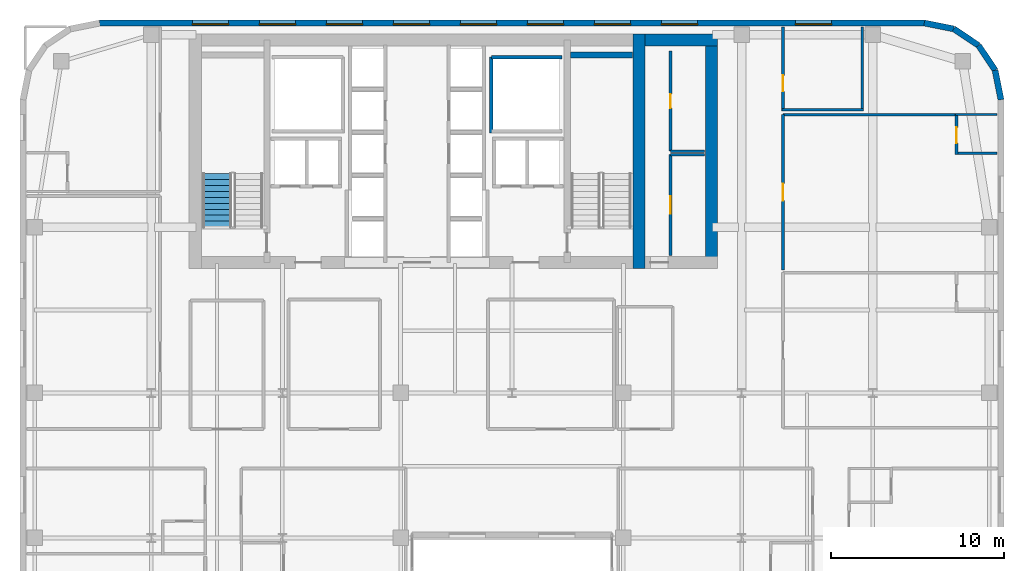
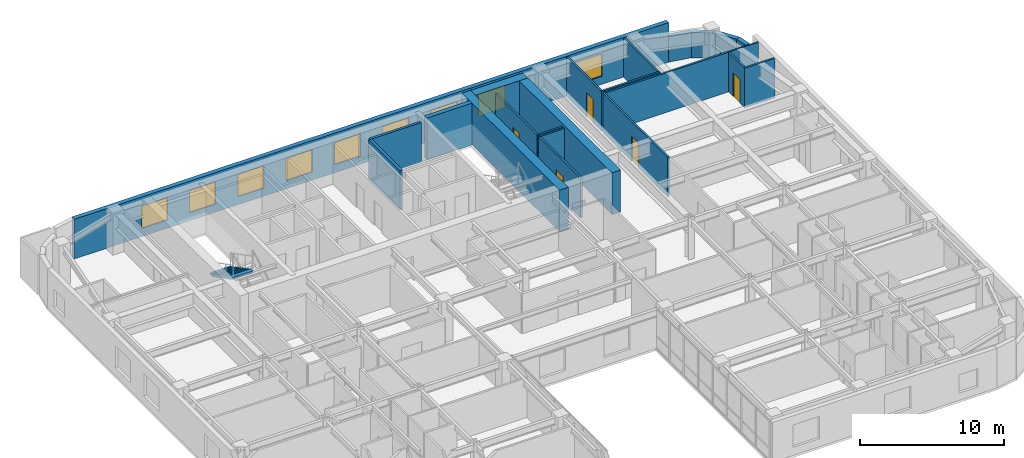
# One storey, part 15 of 17: 23 walls, 9 windows, 5 doors, 1 stair flight, 14 openings, 1 element without a shape of its own.
"""IFC4 building model written with IfcOpenShell, lengths in metres."""

from ifc_helpers import new_model, si_unit, direction, frame, frame_2d, origin, place, context, subcontext, project, spatial, polyline, rectangle, outline, extrude, source, transform, mapped, material, layer, layer_set, type_object, type_shapes, element, fill, aggregate, save


model = new_model("IFC4")

# Units and contexts
model_context = context("Model", 3, precision=1e-05, world=origin(), true_north=direction((0.0, 1.0)))
body_context = subcontext(model_context, "Body", "Model", "MODEL_VIEW")
ifc_project = project(units=[si_unit("LENGTHUNIT", "METRE"), si_unit("AREAUNIT", "SQUARE_METRE"), si_unit("VOLUMEUNIT", "CUBIC_METRE"), si_unit("PLANEANGLEUNIT", "RADIAN"), si_unit("MASSUNIT", "GRAM", prefix="KILO")], contexts=[model_context])

# Site, building, storey
site_placement = place(None, origin())
site = spatial("IfcSite", under=ifc_project, at=site_placement, CompositionType="ELEMENT")
building_placement = place(site_placement, origin())
building = spatial("IfcBuilding", under=site, at=building_placement, Name="Tolvann Quenvar Hotel", CompositionType="ELEMENT")
storey_placement = place(building_placement, frame((0.0, 0.0, 129.300048828125)))
storey = spatial("IfcBuildingStorey", under=building, at=storey_placement, Name="L33", CompositionType="ELEMENT", Elevation=129.300048828125)

# Walls
ifc_material_1 = material(Name="Concrete S65 (65 MPa)", Category="concrete")
ifc_layer_1 = layer(ifc_material_1, 0.699951171875)
ifc_layer_set_1 = layer_set([ifc_layer_1], Name="Concrete S65 (65 MPa)")
wall_type_1 = type_object("IfcWallType", Name="WALL_CORE_700", PredefinedType="SHEAR", material=ifc_layer_set_1)
wall_1_placement = place(storey_placement, frame((35.85009765625, 31.60009765625, 0.0), z_axis=(0.0, 0.0, 1.0), x_axis=(0.0, 1.0, 0.0)))
element("IfcWall", 1, at=wall_1_placement, inside=storey, type_object=wall_type_1, Name="Rear Core E Shear Wall (L33)", PredefinedType="SHEAR", context=body_context, shape_type="SweptSolid", body=[
    extrude(rectangle(XDim=13.599853515625, YDim=0.699951171875, at=frame_2d((6.7998046875, 0.0))), origin(), (0.0, 0.0, 1.0), 3.550048828125),
])
wall_2_placement = place(storey_placement, frame((36.199951171875, 44.85009765625, 0.0), z_axis=(0.0, 0.0, 1.0), x_axis=(1.0, 0.0, 0.0)))
element("IfcWall", 2, at=wall_2_placement, inside=storey, type_object=wall_type_1, Name="Core East Annex Shear Wall ANN-N (L33)", PredefinedType="SHEAR", context=body_context, shape_type="SweptSolid", body=[
    extrude(rectangle(XDim=4.199951171875, YDim=0.699951171875, at=frame_2d((2.10009765625, 0.0))), origin(), (0.0, 0.0, 1.0), 3.550048828125),
])
wall_3_placement = place(storey_placement, frame((40.050048828125, 31.60009765625, 0.0), z_axis=(0.0, 0.0, 1.0), x_axis=(0.0, 1.0, 0.0)))
element("IfcWall", 3, at=wall_3_placement, inside=storey, type_object=wall_type_1, Name="Core East Annex Shear Wall ANN-E (L33)", PredefinedType="SHEAR", context=body_context, shape_type="SweptSolid", body=[
    extrude(rectangle(XDim=13.599853515625, YDim=0.699951171875, at=frame_2d((6.7998046875, 0.0))), origin(), (0.0, 0.0, 1.0), 3.550048828125),
])
ifc_layer_2 = layer(ifc_material_1, 0.35009765625)
ifc_layer_set_2 = layer_set([ifc_layer_2], Name="Concrete S65 (65 MPa)")
wall_type_2 = type_object("IfcWallType", Name="WALL_CORE_INT_350", PredefinedType="SHEAR", material=ifc_layer_set_2)
wall_4_placement = place(storey_placement, frame((31.8798828125, 43.97509765625, 0.0), z_axis=(0.0, 0.0, 1.0), x_axis=(1.0, 0.0, 0.0)))
element("IfcWall", 4, at=wall_4_placement, inside=storey, type_object=wall_type_2, Name="Core Stair North Closing Shear Wall STC2-N (L33)", PredefinedType="SHEAR", context=body_context, shape_type="SweptSolid", body=[
    extrude(rectangle(XDim=3.60009765625, YDim=0.35009765625, at=frame_2d((1.800048828125, 0.0))), origin(), (0.0, 0.0, 1.0), 3.550048828125),
])
ifc_material_2 = material(Name="Kiln-fired red and buff architectural clay brickwork and terracotta masonry", Category="masonry")
ifc_layer_3 = layer(ifc_material_2, 0.35009765625)
ifc_layer_set_3 = layer_set([ifc_layer_3], Name="Kiln-fired red and buff architectural clay brickwork and terracotta masonry")
wall_type_3 = type_object("IfcWallType", Name="WALL_EXT_BRICK_350", PredefinedType="SOLIDWALL", material=ifc_layer_set_3)
wall_5_placement = place(storey_placement, frame((56.824951171875, 41.3828125, 0.0), z_axis=(0.0, 0.0, 1.0), x_axis=(-0.195011420161, 0.980800971659, 0.0)))
element("IfcWall", 5, at=wall_5_placement, inside=storey, type_object=wall_type_3, Name="Exterior Chicago Brick Wall L33-E14", PredefinedType="SOLIDWALL", context=body_context, shape_type="SweptSolid", body=[
    extrude(rectangle(XDim=1.74267578125, YDim=0.35009765625, at=frame_2d((0.871337890625, 0.0))), origin(), (0.0, 0.0, 1.0), 2.159912109375),
])
for number, where, z_axis, x_axis, name in (
    (6, (56.485107421875, 43.092041015625, 0.0), (0.0, 0.0, 1.0), (-0.55554893791, 0.831483840845, 0.0), "Exterior Chicago Brick Wall L33-E15"),
    (7, (55.526611328125, 44.526611328125, 0.0), (0.0, 0.0, 1.0), (-0.831483840845, 0.55554893791, 0.0), "Exterior Chicago Brick Wall L33-E16"),
):
    element("IfcWall", number, at=place(storey_placement, frame(where, z_axis=z_axis, x_axis=x_axis)), inside=storey, type_object=wall_type_3, Name=name, PredefinedType="SOLIDWALL", context=body_context, shape_type="SweptSolid", body=[
        extrude(rectangle(XDim=1.725341796875, YDim=0.35009765625, at=frame_2d((0.86279296875, 0.0))), origin(), (0.0, 0.0, 1.0), 2.159912109375),
    ])
wall_6_placement = place(storey_placement, frame((54.092041015625, 45.485107421875, 0.0), z_axis=(0.0, 0.0, 1.0), x_axis=(-0.980800971659, 0.195011420161, 0.0)))
element("IfcWall", 8, at=wall_6_placement, inside=storey, type_object=wall_type_3, Name="Exterior Chicago Brick Wall L33-E17", PredefinedType="SOLIDWALL", context=body_context, shape_type="SweptSolid", body=[
    extrude(rectangle(XDim=1.74267578125, YDim=0.35009765625, at=frame_2d((0.871337890625, 0.0))), origin(), (0.0, 0.0, 1.0), 2.159912109375),
])

# Wall, openings, windows
wall_7_placement = place(storey_placement, frame((52.3828125, 45.824951171875, 0.0), z_axis=(0.0, 0.0, 1.0), x_axis=(-1.0, 0.0, 0.0)))
wall_7 = element("IfcWall", 9, at=wall_7_placement, inside=storey, type_object=wall_type_3, Name="Exterior Chicago Brick Wall L33-E18", PredefinedType="SOLIDWALL", context=body_context, shape_type="SweptSolid", body=[
    extrude(rectangle(XDim=47.765625, YDim=0.35009765625, at=frame_2d((23.8828125, 0.0))), origin(), (0.0, 0.0, 1.0), 3.369873046875),
])
opening_1_placement = place(wall_7_placement, frame((5.37109375, 0.0, 0.679931640625)))
opening_1 = element("IfcOpeningElement", 10, at=opening_1_placement, cuts=wall_7, Name="Opening W-02", PredefinedType="OPENING", context=body_context, shape_type="SweptSolid", body=[
    extrude(rectangle(XDim=2.10009765625, YDim=1.89990234375, at=frame_2d((1.050048828125, 0.949951171875))), frame((0.0, 0.18505859375, 0.0), z_axis=(0.0, -1.0, 0.0), x_axis=(1.0, 0.0, 0.0)), (0.0, 0.0, 1.0), 0.3701171875),
])
opening_2_placement = place(wall_7_placement, frame((13.132080078125, 0.0, 0.679931640625)))
opening_2 = element("IfcOpeningElement", 11, at=opening_2_placement, cuts=wall_7, Name="Opening W-02", PredefinedType="OPENING", context=body_context, shape_type="SweptSolid", body=[
    extrude(rectangle(XDim=2.10009765625, YDim=1.89990234375, at=frame_2d((1.050048828125, 0.949951171875))), frame((0.0, 0.18505859375, 0.0), z_axis=(0.0, -1.0, 0.0), x_axis=(1.0, 0.0, 0.0)), (0.0, 0.0, 1.0), 0.3701171875),
])
opening_3_placement = place(wall_7_placement, frame((17.011962890625, 0.0, 0.679931640625)))
opening_3 = element("IfcOpeningElement", 12, at=opening_3_placement, cuts=wall_7, Name="Opening W-02", PredefinedType="OPENING", context=body_context, shape_type="SweptSolid", body=[
    extrude(rectangle(XDim=2.10009765625, YDim=1.89990234375, at=frame_2d((1.050048828125, 0.949951171875))), frame((0.0, 0.18505859375, 0.0), z_axis=(0.0, -1.0, 0.0), x_axis=(1.0, 0.0, 0.0)), (0.0, 0.0, 1.0), 0.3701171875),
])
opening_4_placement = place(wall_7_placement, frame((20.89306640625, 0.0, 0.679931640625)))
opening_4 = element("IfcOpeningElement", 13, at=opening_4_placement, cuts=wall_7, Name="Opening W-02", PredefinedType="OPENING", context=body_context, shape_type="SweptSolid", body=[
    extrude(rectangle(XDim=2.10009765625, YDim=1.89990234375, at=frame_2d((1.050048828125, 0.949951171875))), frame((0.0, 0.18505859375, 0.0), z_axis=(0.0, -1.0, 0.0), x_axis=(1.0, 0.0, 0.0)), (0.0, 0.0, 1.0), 0.3701171875),
])
opening_5_placement = place(wall_7_placement, frame((24.77294921875, 0.0, 0.679931640625)))
opening_5 = element("IfcOpeningElement", 14, at=opening_5_placement, cuts=wall_7, Name="Opening W-02", PredefinedType="OPENING", context=body_context, shape_type="SweptSolid", body=[
    extrude(rectangle(XDim=2.10009765625, YDim=1.89990234375, at=frame_2d((1.050048828125, 0.949951171875))), frame((0.0, 0.18505859375, 0.0), z_axis=(0.0, -1.0, 0.0), x_axis=(1.0, 0.0, 0.0)), (0.0, 0.0, 1.0), 0.3701171875),
])
opening_6_placement = place(wall_7_placement, frame((28.654052734375, 0.0, 0.679931640625)))
opening_6 = element("IfcOpeningElement", 15, at=opening_6_placement, cuts=wall_7, Name="Opening W-02", PredefinedType="OPENING", context=body_context, shape_type="SweptSolid", body=[
    extrude(rectangle(XDim=2.10009765625, YDim=1.89990234375, at=frame_2d((1.050048828125, 0.949951171875))), frame((0.0, 0.18505859375, 0.0), z_axis=(0.0, -1.0, 0.0), x_axis=(1.0, 0.0, 0.0)), (0.0, 0.0, 1.0), 0.3701171875),
])
opening_7_placement = place(wall_7_placement, frame((32.533935546875, 0.0, 0.679931640625)))
opening_7 = element("IfcOpeningElement", 16, at=opening_7_placement, cuts=wall_7, Name="Opening W-02", PredefinedType="OPENING", context=body_context, shape_type="SweptSolid", body=[
    extrude(rectangle(XDim=2.10009765625, YDim=1.89990234375, at=frame_2d((1.050048828125, 0.949951171875))), frame((0.0, 0.18505859375, 0.0), z_axis=(0.0, -1.0, 0.0), x_axis=(1.0, 0.0, 0.0)), (0.0, 0.0, 1.0), 0.3701171875),
])
opening_8_placement = place(wall_7_placement, frame((36.4140625, 0.0, 0.679931640625)))
opening_8 = element("IfcOpeningElement", 17, at=opening_8_placement, cuts=wall_7, Name="Opening W-02", PredefinedType="OPENING", context=body_context, shape_type="SweptSolid", body=[
    extrude(rectangle(XDim=2.10009765625, YDim=1.89990234375, at=frame_2d((1.050048828125, 0.949951171875))), frame((0.0, 0.18505859375, 0.0), z_axis=(0.0, -1.0, 0.0), x_axis=(1.0, 0.0, 0.0)), (0.0, 0.0, 1.0), 0.3701171875),
])
opening_9_placement = place(wall_7_placement, frame((40.294921875, 0.0, 0.679931640625)))
opening_9 = element("IfcOpeningElement", 18, at=opening_9_placement, cuts=wall_7, Name="Opening W-02", PredefinedType="OPENING", context=body_context, shape_type="SweptSolid", body=[
    extrude(rectangle(XDim=2.10009765625, YDim=1.89990234375, at=frame_2d((1.050048828125, 0.949951171875))), frame((0.0, 0.18505859375, 0.0), z_axis=(0.0, -1.0, 0.0), x_axis=(1.0, 0.0, 0.0)), (0.0, 0.0, 1.0), 0.3701171875),
])
ifc_material_3 = material(Name="Thermally broken bronze-anodised aluminium frame with double low-E glazing", Category="aluminium")
window_type = type_object("IfcWindowType", Name="WIN_CHI_2100x2050", PartitioningType="TRIPLE_PANEL_HORIZONTAL", PredefinedType="WINDOW", material=ifc_material_3)
shared_shape_1 = source(origin(), body_context, "Body", "SweptSolid", [
    extrude(rectangle(XDim=2.10009765625, YDim=1.89990234375, at=frame_2d((1.050048828125, 0.949951171875))), frame((0.0, 0.090087890625, 0.0), z_axis=(0.0, -1.0, 0.0), x_axis=(1.0, 0.0, 0.0)), (0.0, 0.0, 1.0), 0.06005859375),
])
type_shapes(window_type, [shared_shape_1])
window_1_placement = place(opening_1_placement, origin())
window_1 = element("IfcWindow", 19, at=window_1_placement, inside=storey, type_object=window_type, Name="Chicago Window W-02 (EW-L33-E18-W01)", OverallHeight=1.89990234375, OverallWidth=2.10009765625, PartitioningType="TRIPLE_PANEL_HORIZONTAL", PredefinedType="WINDOW", context=body_context, shape_type="MappedRepresentation", body=[
    mapped(shared_shape_1, transform((0.0, 0.0, 0.0), x_axis=(1.0, 0.0, 0.0), y_axis=(0.0, 1.0, 0.0), z_axis=(0.0, 0.0, 1.0), scale=1.0)),
])
fill(opening_1, window_1)
window_2_placement = place(opening_2_placement, origin())
window_2 = element("IfcWindow", 20, at=window_2_placement, inside=storey, type_object=window_type, Name="Chicago Window W-02 (EW-L33-E18-W02)", OverallHeight=1.89990234375, OverallWidth=2.10009765625, PartitioningType="TRIPLE_PANEL_HORIZONTAL", PredefinedType="WINDOW", context=body_context, shape_type="MappedRepresentation", body=[
    mapped(shared_shape_1, transform((0.0, 0.0, 0.0), x_axis=(1.0, 0.0, 0.0), y_axis=(0.0, 1.0, 0.0), z_axis=(0.0, 0.0, 1.0), scale=1.0)),
])
fill(opening_2, window_2)
window_3_placement = place(opening_3_placement, origin())
window_3 = element("IfcWindow", 21, at=window_3_placement, inside=storey, type_object=window_type, Name="Chicago Window W-02 (EW-L33-E18-W03)", OverallHeight=1.89990234375, OverallWidth=2.10009765625, PartitioningType="TRIPLE_PANEL_HORIZONTAL", PredefinedType="WINDOW", context=body_context, shape_type="MappedRepresentation", body=[
    mapped(shared_shape_1, transform((0.0, 0.0, 0.0), x_axis=(1.0, 0.0, 0.0), y_axis=(0.0, 1.0, 0.0), z_axis=(0.0, 0.0, 1.0), scale=1.0)),
])
fill(opening_3, window_3)
window_4_placement = place(opening_4_placement, origin())
window_4 = element("IfcWindow", 22, at=window_4_placement, inside=storey, type_object=window_type, Name="Chicago Window W-02 (EW-L33-E18-W04)", OverallHeight=1.89990234375, OverallWidth=2.10009765625, PartitioningType="TRIPLE_PANEL_HORIZONTAL", PredefinedType="WINDOW", context=body_context, shape_type="MappedRepresentation", body=[
    mapped(shared_shape_1, transform((0.0, 0.0, 0.0), x_axis=(1.0, 0.0, 0.0), y_axis=(0.0, 1.0, 0.0), z_axis=(0.0, 0.0, 1.0), scale=1.0)),
])
fill(opening_4, window_4)
window_5_placement = place(opening_5_placement, origin())
window_5 = element("IfcWindow", 23, at=window_5_placement, inside=storey, type_object=window_type, Name="Chicago Window W-02 (EW-L33-E18-W05)", OverallHeight=1.89990234375, OverallWidth=2.10009765625, PartitioningType="TRIPLE_PANEL_HORIZONTAL", PredefinedType="WINDOW", context=body_context, shape_type="MappedRepresentation", body=[
    mapped(shared_shape_1, transform((0.0, 0.0, 0.0), x_axis=(1.0, 0.0, 0.0), y_axis=(0.0, 1.0, 0.0), z_axis=(0.0, 0.0, 1.0), scale=1.0)),
])
fill(opening_5, window_5)
window_6_placement = place(opening_6_placement, origin())
window_6 = element("IfcWindow", 24, at=window_6_placement, inside=storey, type_object=window_type, Name="Chicago Window W-02 (EW-L33-E18-W06)", OverallHeight=1.89990234375, OverallWidth=2.10009765625, PartitioningType="TRIPLE_PANEL_HORIZONTAL", PredefinedType="WINDOW", context=body_context, shape_type="MappedRepresentation", body=[
    mapped(shared_shape_1, transform((0.0, 0.0, 0.0), x_axis=(1.0, 0.0, 0.0), y_axis=(0.0, 1.0, 0.0), z_axis=(0.0, 0.0, 1.0), scale=1.0)),
])
fill(opening_6, window_6)
window_7_placement = place(opening_7_placement, origin())
window_7 = element("IfcWindow", 25, at=window_7_placement, inside=storey, type_object=window_type, Name="Chicago Window W-02 (EW-L33-E18-W07)", OverallHeight=1.89990234375, OverallWidth=2.10009765625, PartitioningType="TRIPLE_PANEL_HORIZONTAL", PredefinedType="WINDOW", context=body_context, shape_type="MappedRepresentation", body=[
    mapped(shared_shape_1, transform((0.0, 0.0, 0.0), x_axis=(1.0, 0.0, 0.0), y_axis=(0.0, 1.0, 0.0), z_axis=(0.0, 0.0, 1.0), scale=1.0)),
])
fill(opening_7, window_7)
window_8_placement = place(opening_8_placement, origin())
window_8 = element("IfcWindow", 26, at=window_8_placement, inside=storey, type_object=window_type, Name="Chicago Window W-02 (EW-L33-E18-W08)", OverallHeight=1.89990234375, OverallWidth=2.10009765625, PartitioningType="TRIPLE_PANEL_HORIZONTAL", PredefinedType="WINDOW", context=body_context, shape_type="MappedRepresentation", body=[
    mapped(shared_shape_1, transform((0.0, 0.0, 0.0), x_axis=(1.0, 0.0, 0.0), y_axis=(0.0, 1.0, 0.0), z_axis=(0.0, 0.0, 1.0), scale=1.0)),
])
fill(opening_8, window_8)
window_9_placement = place(opening_9_placement, origin())
window_9 = element("IfcWindow", 27, at=window_9_placement, inside=storey, type_object=window_type, Name="Chicago Window W-02 (EW-L33-E18-W09)", OverallHeight=1.89990234375, OverallWidth=2.10009765625, PartitioningType="TRIPLE_PANEL_HORIZONTAL", PredefinedType="WINDOW", context=body_context, shape_type="MappedRepresentation", body=[
    mapped(shared_shape_1, transform((0.0, 0.0, 0.0), x_axis=(1.0, 0.0, 0.0), y_axis=(0.0, 1.0, 0.0), z_axis=(0.0, 0.0, 1.0), scale=1.0)),
])
fill(opening_9, window_9)

# Wall
ifc_material_4 = material(Name="Moisture-resistant acoustic plumbing wall assembly")
ifc_layer_4 = layer(ifc_material_4, 0.1201171875)
ifc_layer_set_4 = layer_set([ifc_layer_4], Name="Moisture-resistant acoustic plumbing wall assembly")
wall_type_4 = type_object("IfcWallType", Name="WALL_PART_BATH_120", PredefinedType="PLUMBINGWALL", material=ifc_layer_set_4)
wall_8_placement = place(storey_placement, frame((54.179931640625, 40.52001953125, 0.0), z_axis=(0.0, 0.0, 1.0), x_axis=(1.0, 0.0, 0.0)))
element("IfcWall", 28, at=wall_8_placement, inside=storey, type_object=wall_type_4, Name="Non-Rated Plumbing Partition PT-SPC-L33-ENS-NE02-N", PredefinedType="PLUMBINGWALL", context=body_context, shape_type="SweptSolid", body=[
    extrude(rectangle(XDim=2.4150390625, YDim=0.1201171875, at=frame_2d((1.20751953125, 0.0))), origin(), (0.0, 0.0, 1.0), 3.369873046875),
])

# Wall, opening, door
ifc_material_5 = material(Name="Acoustic twin-stud fire-rated gypsum plasterboard partition")
ifc_layer_5 = layer(ifc_material_5, 0.14990234375)
ifc_layer_set_5 = layer_set([ifc_layer_5], Name="Acoustic twin-stud fire-rated gypsum plasterboard partition")
wall_type_5 = type_object("IfcWallType", Name="WALL_PART_SUITE_150", PredefinedType="PARTITIONING", material=ifc_layer_set_5)
wall_9_placement = place(storey_placement, frame((54.25, 38.199951171875, 0.0), z_axis=(0.0, 0.0, 1.0), x_axis=(0.0, 1.0, 0.0)))
wall_9 = element("IfcWall", 29, at=wall_9_placement, inside=storey, type_object=wall_type_5, Name="Interior Partition PT-SPC-L33-ENS-NE02-ENT", PredefinedType="PARTITIONING", context=body_context, shape_type="SweptSolid", body=[
    extrude(rectangle(XDim=2.39013671875, YDim=0.14990234375, at=frame_2d((1.195068359375, 0.0))), origin(), (0.0, 0.0, 1.0), 3.369873046875),
])
opening_10_placement = place(wall_9_placement, frame((0.6650390625, 0.0, 0.0)))
opening_10 = element("IfcOpeningElement", 30, at=opening_10_placement, cuts=wall_9, Name="Opening WD-01", PredefinedType="OPENING", context=body_context, shape_type="SweptSolid", body=[
    extrude(rectangle(XDim=0.919921875, YDim=2.010009765625, at=frame_2d((0.4599609375, 1.0048828125))), frame((0.0, 0.0849609375, 0.0), z_axis=(0.0, -1.0, 0.0), x_axis=(1.0, 0.0, 0.0)), (0.0, 0.0, 1.0), 0.169921875),
])
ifc_material_6 = material(Name="Solid-core American oak acoustic fire door leaf in steel frame", Category="steel")
door_type_1 = type_object("IfcDoorType", Name="DOOR_WC_920", OperationType="NOTDEFINED", PredefinedType="DOOR", material=ifc_material_6)
shared_shape_2 = source(origin(), body_context, "Body", "SweptSolid", [
    extrude(rectangle(XDim=0.919921875, YDim=2.010009765625, at=frame_2d((0.4599609375, 1.0048828125))), frame((0.0, 0.02490234375, 0.0), z_axis=(0.0, -1.0, 0.0), x_axis=(1.0, 0.0, 0.0)), (0.0, 0.0, 1.0), 0.050048828125),
])
type_shapes(door_type_1, [shared_shape_2])
door_1_placement = place(opening_10_placement, origin())
door_1 = element("IfcDoor", 31, at=door_1_placement, inside=storey, type_object=door_type_1, Name="Interior Door DOOR-SPC-L33-ENS-NE02", OperationType="SINGLE_SWING_RIGHT", OverallHeight=2.010009765625, OverallWidth=0.919921875, PredefinedType="DOOR", context=body_context, shape_type="MappedRepresentation", body=[
    mapped(shared_shape_2, transform((0.0, 0.0, 0.0), x_axis=(1.0, 0.0, 0.0), y_axis=(0.0, 1.0, 0.0), z_axis=(0.0, 0.0, 1.0), scale=1.0)),
])
fill(opening_10, door_1)

# Walls
wall_10_placement = place(storey_placement, frame((54.179931640625, 38.27001953125, 0.0), z_axis=(0.0, 0.0, 1.0), x_axis=(1.0, 0.0, 0.0)))
element("IfcWall", 32, at=wall_10_placement, inside=storey, type_object=wall_type_5, Name="Interior Partition PT-SPC-L33-ENS-NE02-S", PredefinedType="PARTITIONING", context=body_context, shape_type="SweptSolid", body=[
    extrude(rectangle(XDim=2.4150390625, YDim=0.14990234375, at=frame_2d((1.20751953125, 0.0))), origin(), (0.0, 0.0, 1.0), 3.369873046875),
])
wall_11_placement = place(storey_placement, frame((37.679931640625, 38.199951171875, 0.0), z_axis=(0.0, 0.0, 1.0), x_axis=(1.0, 0.0, 0.0)))
element("IfcWall", 33, at=wall_11_placement, inside=storey, type_object=wall_type_5, Name="Interior Partition PT-SPC-L33-RECPL-1-N", PredefinedType="PARTITIONING", context=body_context, shape_type="SweptSolid", body=[
    extrude(rectangle(XDim=1.965087890625, YDim=0.14990234375, at=frame_2d((0.982421875, 0.0))), origin(), (0.0, 0.0, 1.0), 3.369873046875),
])

# Wall, opening, door
wall_12_placement = place(storey_placement, frame((37.679931640625, 32.35498046875, 0.0), z_axis=(0.0, 0.0, 1.0), x_axis=(0.0, 1.0, 0.0)))
wall_12 = element("IfcWall", 34, at=wall_12_placement, inside=storey, type_object=wall_type_5, Name="Interior Partition PT-SPC-L33-RECPL-1-W", PredefinedType="PARTITIONING", context=body_context, shape_type="SweptSolid", body=[
    extrude(rectangle(XDim=5.844970703125, YDim=0.14990234375, at=frame_2d((2.92236328125, 0.0))), origin(), (0.0, 0.0, 1.0), 3.369873046875),
])
opening_11_placement = place(wall_12_placement, frame((2.41259765625, 0.0, 0.0)))
opening_11 = element("IfcOpeningElement", 35, at=opening_11_placement, cuts=wall_12, Name="Opening HD-01", PredefinedType="OPENING", context=body_context, shape_type="SweptSolid", body=[
    extrude(rectangle(XDim=1.02001953125, YDim=2.030029296875, at=frame_2d((0.510009765625, 1.01513671875))), frame((0.0, 0.0849609375, 0.0), z_axis=(0.0, -1.0, 0.0), x_axis=(1.0, 0.0, 0.0)), (0.0, 0.0, 1.0), 0.169921875),
])
ifc_material_7 = material(Name="Pressed galvanised steel fire-rated door set", Category="steel")
door_type_2 = type_object("IfcDoorType", Name="DOOR_BOH_1020", OperationType="NOTDEFINED", PredefinedType="DOOR", material=ifc_material_7)
shared_shape_3 = source(origin(), body_context, "Body", "SweptSolid", [
    extrude(rectangle(XDim=1.02001953125, YDim=2.030029296875, at=frame_2d((0.510009765625, 1.01513671875))), frame((0.0, 0.02490234375, 0.0), z_axis=(0.0, -1.0, 0.0), x_axis=(1.0, 0.0, 0.0)), (0.0, 0.0, 1.0), 0.050048828125),
])
type_shapes(door_type_2, [shared_shape_3])
door_2_placement = place(opening_11_placement, origin())
door_2 = element("IfcDoor", 36, at=door_2_placement, inside=storey, type_object=door_type_2, Name="Interior Door DOOR-SPC-L33-RECPL-1", OperationType="SINGLE_SWING_LEFT", OverallHeight=2.030029296875, OverallWidth=1.02001953125, PredefinedType="DOOR", context=body_context, shape_type="MappedRepresentation", body=[
    mapped(shared_shape_3, transform((0.0, 0.0, 0.0), x_axis=(1.0, 0.0, 0.0), y_axis=(0.0, 1.0, 0.0), z_axis=(0.0, 0.0, 1.0), scale=1.0)),
])
fill(opening_11, door_2)

# Wall
wall_13_placement = place(storey_placement, frame((37.679931640625, 38.39990234375, 0.0), z_axis=(0.0, 0.0, 1.0), x_axis=(1.0, 0.0, 0.0)))
element("IfcWall", 37, at=wall_13_placement, inside=storey, type_object=wall_type_5, Name="Interior Partition PT-SPC-L33-CSE-1-S", PredefinedType="PARTITIONING", context=body_context, shape_type="SweptSolid", body=[
    extrude(rectangle(XDim=1.965087890625, YDim=0.14990234375, at=frame_2d((0.982421875, 0.0))), origin(), (0.0, 0.0, 1.0), 3.369873046875),
])

# Wall, opening, door
wall_14_placement = place(storey_placement, frame((37.679931640625, 38.39990234375, 0.0), z_axis=(0.0, 0.0, 1.0), x_axis=(0.0, 1.0, 0.0)))
wall_14 = element("IfcWall", 38, at=wall_14_placement, inside=storey, type_object=wall_type_5, Name="Interior Partition PT-SPC-L33-CSE-1-W", PredefinedType="PARTITIONING", context=body_context, shape_type="SweptSolid", body=[
    extrude(rectangle(XDim=5.800048828125, YDim=0.14990234375, at=frame_2d((2.89990234375, 0.0))), origin(), (0.0, 0.0, 1.0), 3.369873046875),
])
opening_12_placement = place(wall_14_placement, frame((2.489990234375, 0.0, 0.0)))
opening_12 = element("IfcOpeningElement", 39, at=opening_12_placement, cuts=wall_14, Name="Opening HD-02", PredefinedType="OPENING", context=body_context, shape_type="SweptSolid", body=[
    extrude(rectangle(XDim=0.820068359375, YDim=2.010009765625, at=frame_2d((0.41015625, 1.0048828125))), frame((0.0, 0.0849609375, 0.0), z_axis=(0.0, -1.0, 0.0), x_axis=(1.0, 0.0, 0.0)), (0.0, 0.0, 1.0), 0.169921875),
])
door_type_3 = type_object("IfcDoorType", Name="DOOR_STORE_820", OperationType="NOTDEFINED", PredefinedType="DOOR", material=ifc_material_7)
shared_shape_4 = source(origin(), body_context, "Body", "SweptSolid", [
    extrude(rectangle(XDim=0.820068359375, YDim=2.010009765625, at=frame_2d((0.41015625, 1.0048828125))), frame((0.0, 0.02490234375, 0.0), z_axis=(0.0, -1.0, 0.0), x_axis=(1.0, 0.0, 0.0)), (0.0, 0.0, 1.0), 0.050048828125),
])
type_shapes(door_type_3, [shared_shape_4])
door_3_placement = place(opening_12_placement, origin())
door_3 = element("IfcDoor", 40, at=door_3_placement, inside=storey, type_object=door_type_3, Name="Interior Door DOOR-SPC-L33-CSE-1", OperationType="SINGLE_SWING_RIGHT", OverallHeight=2.010009765625, OverallWidth=0.820068359375, PredefinedType="DOOR", context=body_context, shape_type="MappedRepresentation", body=[
    mapped(shared_shape_4, transform((0.0, 0.0, 0.0), x_axis=(1.0, 0.0, 0.0), y_axis=(0.0, 1.0, 0.0), z_axis=(0.0, 0.0, 1.0), scale=1.0)),
])
fill(opening_12, door_3)

wall_15_placement = place(storey_placement, frame((44.199951171875, 31.530029296875, 0.0), z_axis=(0.0, 0.0, 1.0), x_axis=(0.0, 1.0, 0.0)))
wall_15 = element("IfcWall", 41, at=wall_15_placement, inside=storey, type_object=wall_type_5, Name="Interior Partition PT-SPC-L33-RM-NE02-ENT", PredefinedType="PARTITIONING", context=body_context, shape_type="SweptSolid", body=[
    extrude(rectangle(XDim=8.989990234375, YDim=0.14990234375, at=frame_2d((4.4951171875, 0.0))), origin(), (0.0, 0.0, 1.0), 3.369873046875),
])
opening_13_placement = place(wall_15_placement, frame((4.0048828125, 0.0, 0.0)))
opening_13 = element("IfcOpeningElement", 42, at=opening_13_placement, cuts=wall_15, Name="Opening SD-01", PredefinedType="OPENING", context=body_context, shape_type="SweptSolid", body=[
    extrude(rectangle(XDim=0.97998046875, YDim=2.1201171875, at=frame_2d((0.489990234375, 1.06005859375))), frame((0.0, 0.0849609375, 0.0), z_axis=(0.0, -1.0, 0.0), x_axis=(1.0, 0.0, 0.0)), (0.0, 0.0, 1.0), 0.169921875),
])
door_type_4 = type_object("IfcDoorType", Name="DOOR_SUITE_980", OperationType="NOTDEFINED", PredefinedType="DOOR", material=ifc_material_6)
shared_shape_5 = source(origin(), body_context, "Body", "SweptSolid", [
    extrude(rectangle(XDim=0.97998046875, YDim=2.1201171875, at=frame_2d((0.489990234375, 1.06005859375))), frame((0.0, 0.02490234375, 0.0), z_axis=(0.0, -1.0, 0.0), x_axis=(1.0, 0.0, 0.0)), (0.0, 0.0, 1.0), 0.050048828125),
])
type_shapes(door_type_4, [shared_shape_5])
door_4_placement = place(opening_13_placement, origin())
door_4 = element("IfcDoor", 43, at=door_4_placement, inside=storey, type_object=door_type_4, Name="Interior Door DOOR-SPC-L33-RM-NE02", OperationType="SINGLE_SWING_LEFT", OverallHeight=2.1201171875, OverallWidth=0.97998046875, PredefinedType="DOOR", context=body_context, shape_type="MappedRepresentation", body=[
    mapped(shared_shape_5, transform((0.0, 0.0, 0.0), x_axis=(1.0, 0.0, 0.0), y_axis=(0.0, 1.0, 0.0), z_axis=(0.0, 0.0, 1.0), scale=1.0)),
])
fill(opening_13, door_4)

# Wall
wall_16_placement = place(storey_placement, frame((44.199951171875, 40.52001953125, 0.0), z_axis=(0.0, 0.0, 1.0), x_axis=(1.0, 0.0, 0.0)))
element("IfcWall", 44, at=wall_16_placement, inside=storey, type_object=wall_type_5, Name="Interior Partition PT-SPC-L33-RM-NE02-E5", PredefinedType="PARTITIONING", context=body_context, shape_type="SweptSolid", body=[
    extrude(rectangle(XDim=10.030029296875, YDim=0.14990234375, at=frame_2d((5.01513671875, 0.0))), origin(), (0.0, 0.0, 1.0), 3.369873046875),
])

# Wall, opening, door
wall_17_placement = place(storey_placement, frame((44.199951171875, 40.72998046875, 0.0), z_axis=(0.0, 0.0, 1.0), x_axis=(0.0, 1.0, 0.0)))
wall_17 = element("IfcWall", 45, at=wall_17_placement, inside=storey, type_object=wall_type_5, Name="Interior Partition PT-SPC-L33-WCA-ENT", PredefinedType="PARTITIONING", context=body_context, shape_type="SweptSolid", body=[
    extrude(rectangle(XDim=4.864990234375, YDim=0.14990234375, at=frame_2d((2.4326171875, 0.0))), origin(), (0.0, 0.0, 1.0), 3.369873046875),
])
opening_14_placement = place(wall_17_placement, frame((1.139892578125, 0.0, 0.0)))
opening_14 = element("IfcOpeningElement", 46, at=opening_14_placement, cuts=wall_17, Name="Opening WD-01", PredefinedType="OPENING", context=body_context, shape_type="SweptSolid", body=[
    extrude(rectangle(XDim=0.919921875, YDim=2.010009765625, at=frame_2d((0.4599609375, 1.0048828125))), frame((0.0, 0.0849609375, 0.0), z_axis=(0.0, -1.0, 0.0), x_axis=(1.0, 0.0, 0.0)), (0.0, 0.0, 1.0), 0.169921875),
])
door_5_placement = place(opening_14_placement, origin())
door_5 = element("IfcDoor", 47, at=door_5_placement, inside=storey, type_object=door_type_1, Name="Interior Door DOOR-SPC-L33-WCA", OperationType="SINGLE_SWING_RIGHT", OverallHeight=2.010009765625, OverallWidth=0.919921875, PredefinedType="DOOR", context=body_context, shape_type="MappedRepresentation", body=[
    mapped(shared_shape_2, transform((0.0, 0.0, 0.0), x_axis=(1.0, 0.0, 0.0), y_axis=(0.0, 1.0, 0.0), z_axis=(0.0, 0.0, 1.0), scale=1.0)),
])
fill(opening_14, door_5)

# Walls
wall_18_placement = place(storey_placement, frame((44.1298828125, 40.800048828125, 0.0), z_axis=(0.0, 0.0, 1.0), x_axis=(1.0, 0.0, 0.0)))
element("IfcWall", 48, at=wall_18_placement, inside=storey, type_object=wall_type_5, Name="Interior Partition PT-SPC-L33-WCA-S", PredefinedType="PARTITIONING", context=body_context, shape_type="SweptSolid", body=[
    extrude(rectangle(XDim=4.740234375, YDim=0.14990234375, at=frame_2d((2.3701171875, 0.0))), origin(), (0.0, 0.0, 1.0), 3.369873046875),
])
wall_19_placement = place(storey_placement, frame((48.800048828125, 40.72998046875, 0.0), z_axis=(0.0, 0.0, 1.0), x_axis=(0.0, 1.0, 0.0)))
element("IfcWall", 49, at=wall_19_placement, inside=storey, type_object=wall_type_5, Name="Interior Partition PT-SPC-L33-WCA-E", PredefinedType="PARTITIONING", context=body_context, shape_type="SweptSolid", body=[
    extrude(rectangle(XDim=4.864990234375, YDim=0.14990234375, at=frame_2d((2.4326171875, 0.0))), origin(), (0.0, 0.0, 1.0), 3.369873046875),
])
ifc_material_8 = material(Name="Concrete N40 (40 MPa)", Category="concrete")
ifc_layer_6 = layer(ifc_material_8, 0.199951171875)
ifc_layer_set_6 = layer_set([ifc_layer_6], Name="Concrete N40 (40 MPa)")
wall_type_6 = type_object("IfcWallType", Name="WALL_SHAFT_200", PredefinedType="SOLIDWALL", material=ifc_layer_set_6)
wall_20_placement = place(storey_placement, frame((27.300048828125, 39.449951171875, 0.0), z_axis=(0.0, 0.0, 1.0), x_axis=(0.0, 1.0, 0.0)))
element("IfcWall", 50, at=wall_20_placement, inside=storey, type_object=wall_type_6, Name="Service Riser E Shaft Wall IN (L33)", PredefinedType="SOLIDWALL", context=body_context, shape_type="SweptSolid", body=[
    extrude(rectangle(XDim=4.400146484375, YDim=0.199951171875, at=frame_2d((2.2001953125, 0.0))), origin(), (0.0, 0.0, 1.0), 3.369873046875),
])
wall_21_placement = place(storey_placement, frame((27.300048828125, 43.85009765625, 0.0), z_axis=(0.0, 0.0, 1.0), x_axis=(1.0, 0.0, 0.0)))
element("IfcWall", 51, at=wall_21_placement, inside=storey, type_object=wall_type_6, Name="Service Riser E Shaft Wall N (L33)", PredefinedType="SOLIDWALL", context=body_context, shape_type="SweptSolid", body=[
    extrude(rectangle(XDim=4.099853515625, YDim=0.199951171875, at=frame_2d((2.0498046875, 0.0))), origin(), (0.0, 0.0, 1.0), 3.369873046875),
])

# Stair, stair flight
stair_type = type_object("IfcStairType", Name="STAIR", PredefinedType="HALF_TURN_STAIR", material=ifc_material_8)
stair_placement = place(storey_placement, origin())
stair = element("IfcStair", 52, at=stair_placement, inside=storey, type_object=stair_type, Name="L33 ST-C1", PredefinedType="HALF_TURN_STAIR")
stair_flight_type = type_object("IfcStairFlightType", Name="STAIR_FLIGHT", PredefinedType="STRAIGHT", material=ifc_material_8)
stair_flight_placement = place(storey_placement, frame((11.425048828125, 37.10498046875, 1.77490234375), z_axis=(0.0, 0.0, 1.0), x_axis=(0.0, -1.0, 0.0)))
stair_flight = element("IfcStairFlight", 53, at=stair_flight_placement, type_object=stair_flight_type, Name="ST-C1 flight 2", NumberOfRisers=10, NumberOfTreads=9, PredefinedType="STRAIGHT", RiserHeight=0.1775, TreadLength=0.345, context=body_context, shape_type="SweptSolid", body=[
    extrude(outline(polyline([(0.0, 0.0), (0.0, 0.177490234375), (0.344970703125, 0.177490234375), (0.344970703125, 0.35498046875), (0.68994140625, 0.35498046875), (0.68994140625, 0.532470703125), (1.034912109375, 0.532470703125), (1.034912109375, 0.7099609375), (1.3798828125, 0.7099609375), (1.3798828125, 0.887451171875), (1.72509765625, 0.887451171875), (1.72509765625, 1.06494140625), (2.070068359375, 1.06494140625), (2.070068359375, 1.242431640625), (2.4150390625, 1.242431640625), (2.4150390625, 1.419921875), (2.760009765625, 1.419921875), (2.760009765625, 1.597412109375), (3.10498046875, 1.597412109375), (3.10498046875, 1.77490234375), (3.10498046875, 1.428955078125), (0.32763671875, 0.0), (0.0, 0.0)])), frame((0.0, 0.824951171875, 0.0), z_axis=(0.0, -1.0, 0.0), x_axis=(1.0, 0.0, 0.0)), (0.0, 0.0, 1.0), 1.64990234375),
])
aggregate(stair, [stair_flight])

save(model, "model.ifc")
